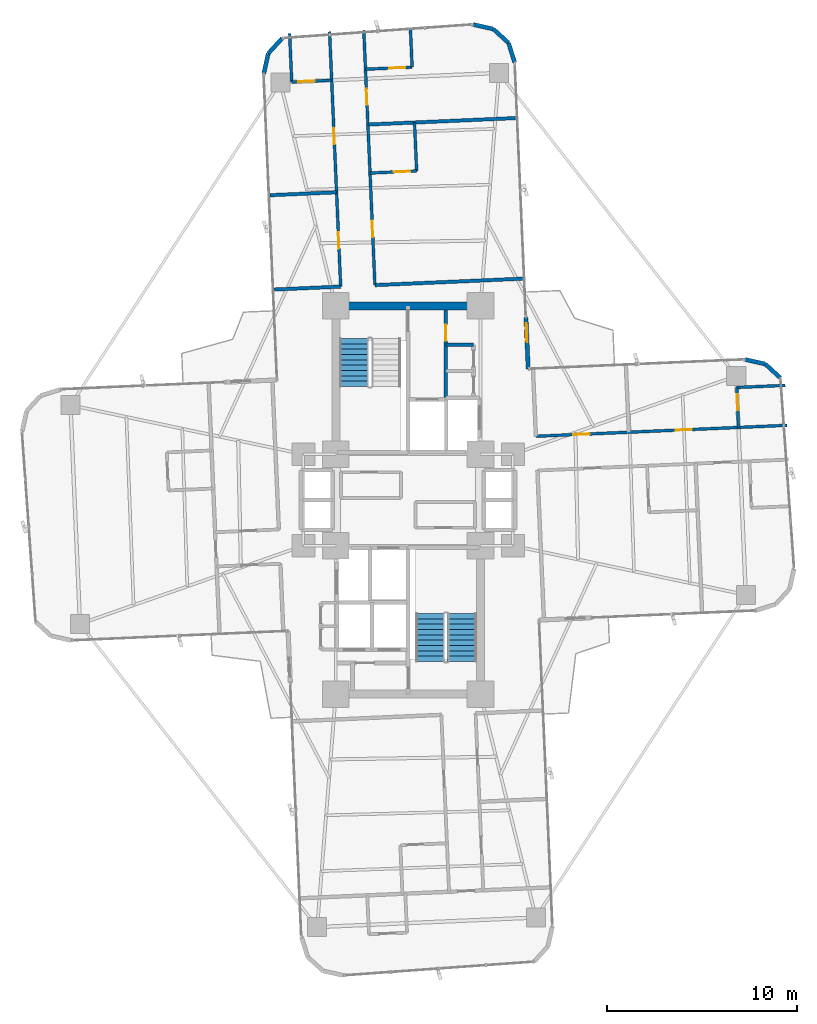
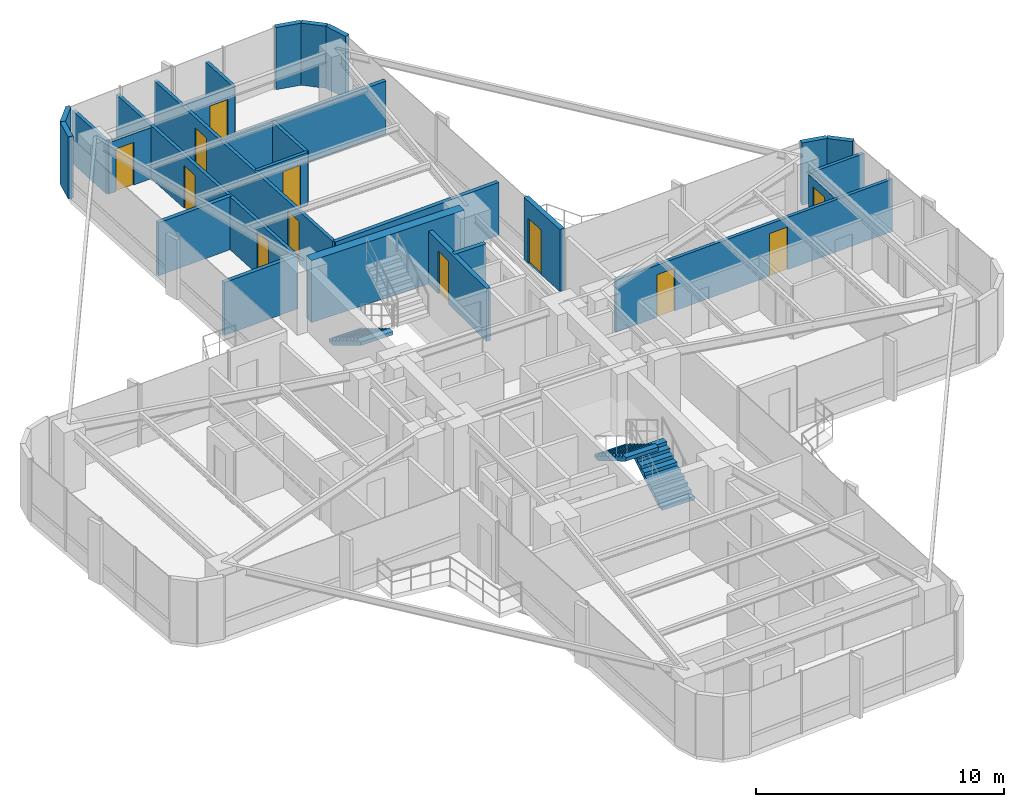
# One storey, part 25 of 27: 26 walls, 12 doors, 3 stair flights, 12 openings, 2 elements without a shape of their own.
"""IFC4 building model written with IfcOpenShell, lengths in metres."""

from ifc_helpers import new_model, si_unit, direction, frame, frame_2d, origin, origin_2d, place, context, subcontext, project, spatial, polyline, rectangle, outline, extrude, source, transform, mapped, material, layer, layer_set, type_object, element, fill, aggregate, save


model = new_model("IFC4")

# Units and contexts
model_context = context("Model", 3, precision=1e-05, world=origin(), true_north=direction((0.0, 1.0)))
body_context = subcontext(model_context, "Body", "Model", "MODEL_VIEW")
ifc_project = project(units=[si_unit("LENGTHUNIT", "METRE"), si_unit("AREAUNIT", "SQUARE_METRE"), si_unit("VOLUMEUNIT", "CUBIC_METRE"), si_unit("PLANEANGLEUNIT", "RADIAN"), si_unit("MASSUNIT", "GRAM", prefix="KILO")], contexts=[model_context])

# Site, building, storey
site_placement = place(None, origin())
site = spatial("IfcSite", under=ifc_project, at=site_placement, CompositionType="ELEMENT")
building_placement = place(site_placement, origin())
building = spatial("IfcBuilding", under=site, at=building_placement, Name="Sahyath Konkavel Grand Hotel", CompositionType="ELEMENT")
storey_placement = place(building_placement, frame((0.0, 0.0, 103.60009765625)))
storey = spatial("IfcBuildingStorey", under=building, at=storey_placement, Name="L28", CompositionType="ELEMENT", Elevation=103.60009765625)

# Walls
ifc_material_1 = material(Name="Concrete C50/60", Category="concrete")
ifc_layer_1 = layer(ifc_material_1, 0.419921875)
ifc_layer_set_1 = layer_set([ifc_layer_1], Name="Concrete C50/60")
wall_type_1 = type_object("IfcWallType", Name="CWALL-420", PredefinedType="SHEAR", material=ifc_layer_set_1)
wall_1_placement = place(storey_placement, frame((-3.550048828125, 10.199951171875, 0.0), z_axis=(0.0, 0.0, 1.0), x_axis=(1.0, 0.0, 0.0)))
element("IfcWall", 1, at=wall_1_placement, inside=storey, type_object=wall_type_1, Name="L28 North Core Shear Wall N", PredefinedType="SHEAR", context=body_context, shape_type="SweptSolid", body=[
    extrude(rectangle(XDim=7.10009765625, YDim=0.419921875, at=frame_2d((3.550048828125, 0.0))), origin(), (0.0, 0.0, 1.0), 3.0498046875),
])
ifc_material_2 = material(Name="Warm Buff Sandstone Insulated Concrete C40/50", Category="masonry")
ifc_layer_2 = layer(ifc_material_2, 0.219970703125)
ifc_layer_set_2 = layer_set([ifc_layer_2], Name="Warm Buff Sandstone Insulated Concrete C40/50")
wall_type_2 = type_object("IfcWallType", Name="WLL-BALC-THRESH", PredefinedType="STANDARD", material=ifc_layer_set_2)
wall_2_placement = place(storey_placement, frame((19.5576171875, 6.4091796875, 0.0), z_axis=(0.0, 0.0, 1.0), x_axis=(-0.737210081318, 0.675663596772, 0.0)))
element("IfcWall", 2, at=wall_2_placement, inside=storey, type_object=wall_type_2, Name="L28 Rounded Corner Sandstone Pier 5", PredefinedType="STANDARD", context=body_context, shape_type="SweptSolid", body=[
    extrude(rectangle(XDim=1.0869140625, YDim=0.219970703125, at=frame_2d((0.54345703125, 0.0))), origin(), (0.0, 0.0, 1.0), 3.0498046875),
])
wall_3_placement = place(storey_placement, frame((18.75634765625, 7.1435546875, 0.0), z_axis=(0.0, 0.0, 1.0), x_axis=(-0.976282085775, 0.216502399514, 0.0)))
element("IfcWall", 3, at=wall_3_placement, inside=storey, type_object=wall_type_2, Name="L28 Rounded Corner Sandstone Pier 6", PredefinedType="STANDARD", context=body_context, shape_type="SweptSolid", body=[
    extrude(rectangle(XDim=1.087158203125, YDim=0.219970703125, at=frame_2d((0.54345703125, 0.0))), origin(), (0.0, 0.0, 1.0), 3.0498046875),
])

# Wall, opening, door
wall_4_placement = place(storey_placement, frame((6.305908203125, 6.881591796875, 0.0), z_axis=(0.0, 0.0, 1.0), x_axis=(-0.043672655174, 0.999045894436, 0.0)))
wall_4 = element("IfcWall", 4, at=wall_4_placement, inside=storey, type_object=wall_type_2, Name="L28 Winter-Garden Threshold Wall 8", PredefinedType="STANDARD", context=body_context, shape_type="SweptSolid", body=[
    extrude(rectangle(XDim=2.7001953125, YDim=0.219970703125, at=frame_2d((1.35009765625, 0.0))), origin(), (0.0, 0.0, 1.0), 3.0498046875),
])
opening_1_placement = place(wall_4_placement, frame((1.39990234375, 0.0, 0.0)))
opening_1 = element("IfcOpeningElement", 5, at=opening_1_placement, cuts=wall_4, Name="Opening D-TR1", PredefinedType="OPENING", context=body_context, shape_type="SweptSolid", body=[
    extrude(rectangle(XDim=1.0, YDim=2.199951171875, at=frame_2d((0.5, 1.10009765625))), frame((0.0, 0.1201171875, 0.0), z_axis=(0.0, -1.0, 0.0), x_axis=(1.0, 0.0, 0.0)), (0.0, 0.0, 1.0), 0.239990234375),
])
ifc_material_3 = material(Name="Anodised Bronze Aluminium & Low-E Glazing", Category="aluminium")
door_type_1 = type_object("IfcDoorType", Name="DR-TERRACE-1000", OperationType="NOTDEFINED", PredefinedType="DOOR", material=ifc_material_3)
shared_shape_1 = source(origin(), body_context, "Body", "SweptSolid", [
    extrude(rectangle(XDim=1.0, YDim=0.050048828125, at=origin_2d()), origin(), (0.0, 0.0, 1.0), 2.199951171875),
])
door_1_placement = place(opening_1_placement, frame((0.5, 0.0, 0.0)))
door_1 = element("IfcDoor", 6, at=door_1_placement, inside=storey, type_object=door_type_1, Name="L28 Winter-Garden Terrace Door 8", OperationType="SINGLE_SWING_LEFT", OverallHeight=2.199951171875, OverallWidth=1.0, PredefinedType="DOOR", context=body_context, shape_type="MappedRepresentation", body=[
    mapped(shared_shape_1, transform((0.0, 0.0, 0.0), scale=1.0)),
])
fill(opening_1, door_1)

# Walls
wall_5_placement = place(storey_placement, frame((5.603515625, 22.96630859375, 0.0), z_axis=(0.0, 0.0, 1.0), x_axis=(-0.300755105707, 0.953701403161, 0.0)))
element("IfcWall", 7, at=wall_5_placement, inside=storey, type_object=wall_type_2, Name="L28 Rounded Corner Sandstone Pier 9", PredefinedType="STANDARD", context=body_context, shape_type="SweptSolid", body=[
    extrude(rectangle(XDim=1.0869140625, YDim=0.219970703125, at=frame_2d((0.54345703125, 0.0))), origin(), (0.0, 0.0, 1.0), 3.0498046875),
])
wall_6_placement = place(storey_placement, frame((5.276611328125, 24.0029296875, 0.0), z_axis=(0.0, 0.0, 1.0), x_axis=(-0.737312600672, 0.675551721847, 0.0)))
element("IfcWall", 8, at=wall_6_placement, inside=storey, type_object=wall_type_2, Name="L28 Rounded Corner Sandstone Pier 10", PredefinedType="STANDARD", context=body_context, shape_type="SweptSolid", body=[
    extrude(rectangle(XDim=1.087158203125, YDim=0.219970703125, at=frame_2d((0.54345703125, 0.0))), origin(), (0.0, 0.0, 1.0), 3.0498046875),
])
for number, where, z_axis, x_axis, name in (
    (9, (4.47509765625, 24.7373046875, 0.0), (0.0, 0.0, 1.0), (-0.976271555154, 0.216549880158, 0.0), "L28 Rounded Corner Sandstone Pier 11"),
    (10, (-6.6142578125, 24.253173828125, 0.0), (0.0, 0.0, 1.0), (-0.675663596772, -0.737210081318, 0.0), "L28 Rounded Corner Sandstone Pier 13"),
):
    element("IfcWall", number, at=place(storey_placement, frame(where, z_axis=z_axis, x_axis=x_axis)), inside=storey, type_object=wall_type_2, Name=name, PredefinedType="STANDARD", context=body_context, shape_type="SweptSolid", body=[
        extrude(rectangle(XDim=1.0869140625, YDim=0.219970703125, at=frame_2d((0.54345703125, 0.0))), origin(), (0.0, 0.0, 1.0), 3.0498046875),
    ])
wall_7_placement = place(storey_placement, frame((-7.3486328125, 23.451904296875, 0.0), z_axis=(0.0, 0.0, 1.0), x_axis=(-0.216454939174, -0.976292609471, 0.0)))
element("IfcWall", 11, at=wall_7_placement, inside=storey, type_object=wall_type_2, Name="L28 Rounded Corner Sandstone Pier 14", PredefinedType="STANDARD", context=body_context, shape_type="SweptSolid", body=[
    extrude(rectangle(XDim=1.08740234375, YDim=0.219970703125, at=frame_2d((0.543701171875, 0.0))), origin(), (0.0, 0.0, 1.0), 3.0498046875),
])

# Wall, opening, door
ifc_material_4 = material(Name="Concrete C40/50", Category="concrete")
ifc_layer_3 = layer(ifc_material_4, 0.199951171875)
ifc_layer_set_3 = layer_set([ifc_layer_3], Name="Concrete C40/50")
wall_type_3 = type_object("IfcWallType", Name="WLL-CORE-200", PredefinedType="SOLIDWALL", material=ifc_layer_set_3)
wall_8_placement = place(storey_placement, frame((1.97998046875, 5.320068359375, 0.0), z_axis=(0.0, 0.0, 1.0), x_axis=(0.0, 1.0, 0.0)))
wall_8 = element("IfcWall", 12, at=wall_8_placement, inside=storey, type_object=wall_type_3, Name="L28 North Firefighting Lobby Wall E", PredefinedType="SOLIDWALL", context=body_context, shape_type="SweptSolid", body=[
    extrude(rectangle(XDim=4.659912109375, YDim=0.199951171875, at=frame_2d((2.330078125, 0.0))), origin(), (0.0, 0.0, 1.0), 2.599853515625),
])
opening_2_placement = place(wall_8_placement, frame((3.0400390625, 0.0, 0.0)))
opening_2 = element("IfcOpeningElement", 13, at=opening_2_placement, cuts=wall_8, Name="Opening D-F12D", PredefinedType="OPENING", context=body_context, shape_type="SweptSolid", body=[
    extrude(rectangle(XDim=0.85009765625, YDim=2.10009765625, at=frame_2d((0.425048828125, 1.050048828125))), frame((0.0, 0.10986328125, 0.0), z_axis=(0.0, -1.0, 0.0), x_axis=(1.0, 0.0, 0.0)), (0.0, 0.0, 1.0), 0.219970703125),
])
ifc_material_5 = material(Name="Steel E350 Core Fire Door", Category="steel")
door_type_2 = type_object("IfcDoorType", Name="DR-FD120-850", OperationType="NOTDEFINED", PredefinedType="DOOR", material=ifc_material_5)
shared_shape_2 = source(origin(), body_context, "Body", "SweptSolid", [
    extrude(rectangle(XDim=0.85009765625, YDim=0.050048828125, at=origin_2d()), origin(), (0.0, 0.0, 1.0), 2.10009765625),
])
door_2_placement = place(opening_2_placement, frame((0.425048828125, 0.0, 0.0)))
door_2 = element("IfcDoor", 14, at=door_2_placement, inside=storey, type_object=door_type_2, Name="L28 North Firefighting Lobby Door", OperationType="SINGLE_SWING_RIGHT", OverallHeight=2.10009765625, OverallWidth=0.85009765625, PredefinedType="DOOR", context=body_context, shape_type="MappedRepresentation", body=[
    mapped(shared_shape_2, transform((0.0, 0.0, 0.0), scale=1.0)),
])
fill(opening_2, door_2)

# Walls
wall_9_placement = place(storey_placement, frame((1.97998046875, 8.14990234375, 0.0), z_axis=(0.0, 0.0, 1.0), x_axis=(1.0, 0.0, 0.0)))
element("IfcWall", 15, at=wall_9_placement, inside=storey, type_object=wall_type_3, Name="L28 Partition NC-REC-N", PredefinedType="SOLIDWALL", context=body_context, shape_type="SweptSolid", body=[
    extrude(rectangle(XDim=1.4599609375, YDim=0.199951171875, at=frame_2d((0.72998046875, 0.0))), origin(), (0.0, 0.0, 1.0), 2.599853515625),
])
ifc_material_6 = material(Name="Twin-Stud Acoustic Gypsum Plasterboard Partition")
ifc_layer_4 = layer(ifc_material_6, 0.179931640625)
ifc_layer_set_4 = layer_set([ifc_layer_4], Name="Twin-Stud Acoustic Gypsum Plasterboard Partition")
wall_type_4 = type_object("IfcWallType", Name="WLL-DEMISE-180", PredefinedType="PARTITIONING", material=ifc_layer_set_4)
wall_10_placement = place(storey_placement, frame((-3.542236328125, 11.206298828125, 0.0), z_axis=(0.0, 0.0, 1.0), x_axis=(-0.999046129111, -0.04366728647, 0.0)))
element("IfcWall", 16, at=wall_10_placement, inside=storey, type_object=wall_type_4, Name="L28 Partition N-INL", PredefinedType="PARTITIONING", context=body_context, shape_type="SweptSolid", body=[
    extrude(rectangle(XDim=3.5, YDim=0.179931640625, at=frame_2d((1.75, 0.0))), origin(), (0.0, 0.0, 1.0), 2.599853515625),
])
wall_11_placement = place(storey_placement, frame((6.048583984375, 11.625, 0.0), z_axis=(0.0, 0.0, 1.0), x_axis=(-0.999047634936, -0.043632821702, 0.0)))
element("IfcWall", 17, at=wall_11_placement, inside=storey, type_object=wall_type_4, Name="L28 Partition N-INR", PredefinedType="PARTITIONING", context=body_context, shape_type="SweptSolid", body=[
    extrude(rectangle(XDim=7.7998046875, YDim=0.179931640625, at=frame_2d((3.89990234375, 0.0))), origin(), (0.0, 0.0, 1.0), 2.599853515625),
])
wall_12_placement = place(storey_placement, frame((-3.75830078125, 16.159423828125, 0.0), z_axis=(0.0, 0.0, 1.0), x_axis=(-0.999049302422, -0.04359462501, 0.0)))
element("IfcWall", 18, at=wall_12_placement, inside=storey, type_object=wall_type_4, Name="L28 Partition N-N1L-DEM", PredefinedType="PARTITIONING", context=body_context, shape_type="SweptSolid", body=[
    extrude(rectangle(XDim=3.500244140625, YDim=0.179931640625, at=frame_2d((1.75, 0.0))), origin(), (0.0, 0.0, 1.0), 2.599853515625),
])
wall_13_placement = place(storey_placement, frame((-2.112060546875, 19.718505859375, 0.0), z_axis=(0.0, 0.0, 1.0), x_axis=(0.999047634936, 0.043632821702, 0.0)))
element("IfcWall", 19, at=wall_13_placement, inside=storey, type_object=wall_type_4, Name="L28 Partition N-N1R-DEM", PredefinedType="PARTITIONING", context=body_context, shape_type="SweptSolid", body=[
    extrude(rectangle(XDim=7.7998046875, YDim=0.179931640625, at=frame_2d((3.89990234375, 0.0))), origin(), (0.0, 0.0, 1.0), 2.599853515625),
])

# Wall, openings, doors
ifc_material_7 = material(Name="Fire-Rated Gypsum Plasterboard Partition")
ifc_layer_5 = layer(ifc_material_7, 0.14990234375)
ifc_layer_set_5 = layer_set([ifc_layer_5], Name="Fire-Rated Gypsum Plasterboard Partition")
wall_type_5 = type_object("IfcWallType", Name="WLL-PART-150", PredefinedType="PARTITIONING", material=ifc_layer_set_5)
wall_14_placement = place(storey_placement, frame((6.71044921875, 3.345947265625, 0.0), z_axis=(0.0, 0.0, 1.0), x_axis=(0.999048535483, 0.04361219725, 0.0)))
wall_14 = element("IfcWall", 20, at=wall_14_placement, inside=storey, type_object=wall_type_5, Name="L28 Partition E-CL", PredefinedType="PARTITIONING", context=body_context, shape_type="SweptSolid", body=[
    extrude(rectangle(XDim=13.199951171875, YDim=0.14990234375, at=frame_2d((6.60009765625, 0.0))), origin(), (0.0, 0.0, 1.0), 2.56982421875),
])
opening_3_placement = place(wall_14_placement, frame((1.967041015625, 0.0, 0.0)))
opening_3 = element("IfcOpeningElement", 21, at=opening_3_placement, cuts=wall_14, Name="Opening D-F06D", PredefinedType="OPENING", context=body_context, shape_type="SweptSolid", body=[
    extrude(rectangle(XDim=0.85009765625, YDim=2.10009765625, at=frame_2d((0.425048828125, 1.050048828125))), frame((0.0, 0.0849609375, 0.0), z_axis=(0.0, -1.0, 0.0), x_axis=(1.0, 0.0, 0.0)), (0.0, 0.0, 1.0), 0.169921875),
])
opening_4_placement = place(wall_14_placement, frame((7.342041015625, 0.0, 0.0)))
opening_4 = element("IfcOpeningElement", 22, at=opening_4_placement, cuts=wall_14, Name="Opening D-F06D", PredefinedType="OPENING", context=body_context, shape_type="SweptSolid", body=[
    extrude(rectangle(XDim=0.85009765625, YDim=2.10009765625, at=frame_2d((0.425048828125, 1.050048828125))), frame((0.0, 0.0849609375, 0.0), z_axis=(0.0, -1.0, 0.0), x_axis=(1.0, 0.0, 0.0)), (0.0, 0.0, 1.0), 0.169921875),
])
ifc_material_8 = material(Name="Fire-Rated Shaft Access Door")
door_type_3 = type_object("IfcDoorType", Name="DR-FD60-850", OperationType="NOTDEFINED", PredefinedType="DOOR", material=ifc_material_8)
door_3_placement = place(opening_3_placement, frame((0.425048828125, 0.0, 0.0)))
door_3 = element("IfcDoor", 23, at=door_3_placement, inside=storey, type_object=door_type_3, Name="L28 Door E-E1L-D", OperationType="SINGLE_SWING_LEFT", OverallHeight=2.10009765625, OverallWidth=0.85009765625, PredefinedType="DOOR", context=body_context, shape_type="MappedRepresentation", body=[
    mapped(shared_shape_2, transform((0.0, 0.0, 0.0), scale=1.0)),
])
fill(opening_3, door_3)
door_4_placement = place(opening_4_placement, frame((0.425048828125, 0.0, 0.0)))
door_4 = element("IfcDoor", 24, at=door_4_placement, inside=storey, type_object=door_type_3, Name="L28 Door E-E2L-ED", OperationType="SINGLE_SWING_LEFT", OverallHeight=2.10009765625, OverallWidth=0.85009765625, PredefinedType="DOOR", context=body_context, shape_type="MappedRepresentation", body=[
    mapped(shared_shape_2, transform((0.0, 0.0, 0.0), scale=1.0)),
])
fill(opening_4, door_4)

# Wall, opening, door
wall_15_placement = place(storey_placement, frame((17.350341796875, 3.810302734375, 0.0), z_axis=(0.0, 0.0, 1.0), x_axis=(-0.043593612401, 0.999049346608, 0.0)))
wall_15 = element("IfcWall", 25, at=wall_15_placement, inside=storey, type_object=wall_type_5, Name="L28 Partition E-E2L-BS", PredefinedType="PARTITIONING", context=body_context, shape_type="SweptSolid", body=[
    extrude(rectangle(XDim=2.10009765625, YDim=0.14990234375, at=frame_2d((1.050048828125, 0.0))), origin(), (0.0, 0.0, 1.0), 2.52001953125),
])
opening_5_placement = place(wall_15_placement, frame((0.89990234375, 0.0, 0.0)))
opening_5 = element("IfcOpeningElement", 26, at=opening_5_placement, cuts=wall_15, Name="Opening D-BT85", PredefinedType="OPENING", context=body_context, shape_type="SweptSolid", body=[
    extrude(rectangle(XDim=0.85009765625, YDim=2.10009765625, at=frame_2d((0.425048828125, 1.050048828125))), frame((0.0, 0.0849609375, 0.0), z_axis=(0.0, -1.0, 0.0), x_axis=(1.0, 0.0, 0.0)), (0.0, 0.0, 1.0), 0.169921875),
])
ifc_material_9 = material(Name="Moisture-Resistant Teak Bathroom Door")
door_type_4 = type_object("IfcDoorType", Name="DR-BATH-850", OperationType="NOTDEFINED", PredefinedType="DOOR", material=ifc_material_9)
door_5_placement = place(opening_5_placement, frame((0.425048828125, 0.0, 0.0)))
door_5 = element("IfcDoor", 27, at=door_5_placement, inside=storey, type_object=door_type_4, Name="L28 Door E-E2L-BD", OperationType="SINGLE_SWING_RIGHT", OverallHeight=2.10009765625, OverallWidth=0.85009765625, PredefinedType="DOOR", context=body_context, shape_type="MappedRepresentation", body=[
    mapped(shared_shape_2, transform((0.0, 0.0, 0.0), scale=1.0)),
])
fill(opening_5, door_5)

# Wall
wall_16_placement = place(storey_placement, frame((17.2587890625, 5.908447265625, 0.0), z_axis=(0.0, 0.0, 1.0), x_axis=(0.999046560091, 0.043657425146, 0.0)))
element("IfcWall", 28, at=wall_16_placement, inside=storey, type_object=wall_type_5, Name="L28 Partition E-E2L-BF", PredefinedType="PARTITIONING", context=body_context, shape_type="SweptSolid", body=[
    extrude(rectangle(XDim=2.550048828125, YDim=0.14990234375, at=frame_2d((1.27490234375, 0.0))), origin(), (0.0, 0.0, 1.0), 2.599853515625),
])

# Wall, openings, doors
wall_17_placement = place(storey_placement, frame((-3.542236328125, 11.206298828125, 0.0), z_axis=(0.0, 0.0, 1.0), x_axis=(-0.043617493533, 0.999048304267, 0.0)))
wall_17 = element("IfcWall", 29, at=wall_17_placement, inside=storey, type_object=wall_type_5, Name="L28 Partition N-CL", PredefinedType="PARTITIONING", context=body_context, shape_type="SweptSolid", body=[
    extrude(rectangle(XDim=13.39990234375, YDim=0.14990234375, at=frame_2d((6.699951171875, 0.0))), origin(), (0.0, 0.0, 1.0), 2.599853515625),
])
opening_6_placement = place(wall_17_placement, frame((2.00390625, 0.0, 0.0)))
opening_6 = element("IfcOpeningElement", 30, at=opening_6_placement, cuts=wall_17, Name="Opening D-F06D", PredefinedType="OPENING", context=body_context, shape_type="SweptSolid", body=[
    extrude(rectangle(XDim=0.85009765625, YDim=2.10009765625, at=frame_2d((0.425048828125, 1.050048828125))), frame((0.0, 0.0849609375, 0.0), z_axis=(0.0, -1.0, 0.0), x_axis=(1.0, 0.0, 0.0)), (0.0, 0.0, 1.0), 0.169921875),
])
opening_7_placement = place(wall_17_placement, frame((7.47900390625, 0.0, 0.0)))
opening_7 = element("IfcOpeningElement", 31, at=opening_7_placement, cuts=wall_17, Name="Opening D-F06D", PredefinedType="OPENING", context=body_context, shape_type="SweptSolid", body=[
    extrude(rectangle(XDim=0.85009765625, YDim=2.10009765625, at=frame_2d((0.425048828125, 1.050048828125))), frame((0.0, 0.0849609375, 0.0), z_axis=(0.0, -1.0, 0.0), x_axis=(1.0, 0.0, 0.0)), (0.0, 0.0, 1.0), 0.169921875),
])
door_6_placement = place(opening_6_placement, frame((0.425048828125, 0.0, 0.0)))
door_6 = element("IfcDoor", 32, at=door_6_placement, inside=storey, type_object=door_type_3, Name="L28 Door N-N1L-D", OperationType="SINGLE_SWING_RIGHT", OverallHeight=2.10009765625, OverallWidth=0.85009765625, PredefinedType="DOOR", context=body_context, shape_type="MappedRepresentation", body=[
    mapped(shared_shape_2, transform((0.0, 0.0, 0.0), scale=1.0)),
])
fill(opening_6, door_6)
door_7_placement = place(opening_7_placement, frame((0.425048828125, 0.0, 0.0)))
door_7 = element("IfcDoor", 33, at=door_7_placement, inside=storey, type_object=door_type_3, Name="L28 Door N-N2L-ED", OperationType="SINGLE_SWING_RIGHT", OverallHeight=2.10009765625, OverallWidth=0.85009765625, PredefinedType="DOOR", context=body_context, shape_type="MappedRepresentation", body=[
    mapped(shared_shape_2, transform((0.0, 0.0, 0.0), scale=1.0)),
])
fill(opening_7, door_7)

wall_18_placement = place(storey_placement, frame((-1.743896484375, 11.28466796875, 0.0), z_axis=(0.0, 0.0, 1.0), x_axis=(-0.043617493533, 0.999048304267, 0.0)))
wall_18 = element("IfcWall", 34, at=wall_18_placement, inside=storey, type_object=wall_type_5, Name="L28 Partition N-CR", PredefinedType="PARTITIONING", context=body_context, shape_type="SweptSolid", body=[
    extrude(rectangle(XDim=13.39990234375, YDim=0.14990234375, at=frame_2d((6.699951171875, 0.0))), origin(), (0.0, 0.0, 1.0), 2.599853515625),
])
opening_8_placement = place(wall_18_placement, frame((2.52099609375, 0.0, 0.0)))
opening_8 = element("IfcOpeningElement", 35, at=opening_8_placement, cuts=wall_18, Name="Opening D-F06D", PredefinedType="OPENING", context=body_context, shape_type="SweptSolid", body=[
    extrude(rectangle(XDim=0.85009765625, YDim=2.10009765625, at=frame_2d((0.425048828125, 1.050048828125))), frame((0.0, 0.0849609375, 0.0), z_axis=(0.0, -1.0, 0.0), x_axis=(1.0, 0.0, 0.0)), (0.0, 0.0, 1.0), 0.169921875),
])
opening_9_placement = place(wall_18_placement, frame((9.470947265625, 0.0, 0.0)))
opening_9 = element("IfcOpeningElement", 36, at=opening_9_placement, cuts=wall_18, Name="Opening D-F06D", PredefinedType="OPENING", context=body_context, shape_type="SweptSolid", body=[
    extrude(rectangle(XDim=0.85009765625, YDim=2.10009765625, at=frame_2d((0.425048828125, 1.050048828125))), frame((0.0, 0.0849609375, 0.0), z_axis=(0.0, -1.0, 0.0), x_axis=(1.0, 0.0, 0.0)), (0.0, 0.0, 1.0), 0.169921875),
])
door_8_placement = place(opening_8_placement, frame((0.425048828125, 0.0, 0.0)))
door_8 = element("IfcDoor", 37, at=door_8_placement, inside=storey, type_object=door_type_3, Name="L28 Door N-N1R-ED", OperationType="SINGLE_SWING_RIGHT", OverallHeight=2.10009765625, OverallWidth=0.85009765625, PredefinedType="DOOR", context=body_context, shape_type="MappedRepresentation", body=[
    mapped(shared_shape_2, transform((0.0, 0.0, 0.0), scale=1.0)),
])
fill(opening_8, door_8)
door_9_placement = place(opening_9_placement, frame((0.425048828125, 0.0, 0.0)))
door_9 = element("IfcDoor", 38, at=door_9_placement, inside=storey, type_object=door_type_3, Name="L28 Door N-N2R-ED", OperationType="SINGLE_SWING_RIGHT", OverallHeight=2.10009765625, OverallWidth=0.85009765625, PredefinedType="DOOR", context=body_context, shape_type="MappedRepresentation", body=[
    mapped(shared_shape_2, transform((0.0, 0.0, 0.0), scale=1.0)),
])
fill(opening_9, door_9)

# Wall, opening, door
wall_19_placement = place(storey_placement, frame((-4.015380859375, 22.0458984375, 0.0), z_axis=(0.0, 0.0, 1.0), x_axis=(-0.999044054836, -0.043714717167, 0.0)))
wall_19 = element("IfcWall", 39, at=wall_19_placement, inside=storey, type_object=wall_type_5, Name="L28 Partition N-N2L-BS", PredefinedType="PARTITIONING", context=body_context, shape_type="SweptSolid", body=[
    extrude(rectangle(XDim=2.099853515625, YDim=0.14990234375, at=frame_2d((1.0498046875, 0.0))), origin(), (0.0, 0.0, 1.0), 2.52001953125),
])
opening_10_placement = place(wall_19_placement, frame((0.89990234375, 0.0, 0.0)))
opening_10 = element("IfcOpeningElement", 40, at=opening_10_placement, cuts=wall_19, Name="Opening D-BT85", PredefinedType="OPENING", context=body_context, shape_type="SweptSolid", body=[
    extrude(rectangle(XDim=0.85009765625, YDim=2.10009765625, at=frame_2d((0.425048828125, 1.050048828125))), frame((0.0, 0.0849609375, 0.0), z_axis=(0.0, -1.0, 0.0), x_axis=(1.0, 0.0, 0.0)), (0.0, 0.0, 1.0), 0.169921875),
])
door_10_placement = place(opening_10_placement, frame((0.425048828125, 0.0, 0.0)))
door_10 = element("IfcDoor", 41, at=door_10_placement, inside=storey, type_object=door_type_4, Name="L28 Door N-N2L-BD", OperationType="SINGLE_SWING_LEFT", OverallHeight=2.10009765625, OverallWidth=0.85009765625, PredefinedType="DOOR", context=body_context, shape_type="MappedRepresentation", body=[
    mapped(shared_shape_2, transform((0.0, 0.0, 0.0), scale=1.0)),
])
fill(opening_10, door_10)

# Wall
wall_20_placement = place(storey_placement, frame((-6.11328125, 21.9541015625, 0.0), z_axis=(0.0, 0.0, 1.0), x_axis=(-0.043657425146, 0.999046560091, 0.0)))
element("IfcWall", 42, at=wall_20_placement, inside=storey, type_object=wall_type_5, Name="L28 Partition N-N2L-BF", PredefinedType="PARTITIONING", context=body_context, shape_type="SweptSolid", body=[
    extrude(rectangle(XDim=2.550048828125, YDim=0.14990234375, at=frame_2d((1.27490234375, 0.0))), origin(), (0.0, 0.0, 1.0), 2.599853515625),
])

# Wall, opening, door
wall_21_placement = place(storey_placement, frame((-2.0009765625, 17.171142578125, 0.0), z_axis=(0.0, 0.0, 1.0), x_axis=(0.99905145222, 0.043545330602, 0.0)))
wall_21 = element("IfcWall", 43, at=wall_21_placement, inside=storey, type_object=wall_type_5, Name="L28 Partition N-N1R-BS", PredefinedType="PARTITIONING", context=body_context, shape_type="SweptSolid", body=[
    extrude(rectangle(XDim=2.4501953125, YDim=0.14990234375, at=frame_2d((1.22509765625, 0.0))), origin(), (0.0, 0.0, 1.0), 2.599853515625),
])
opening_11_placement = place(wall_21_placement, frame((1.25, 0.0, 0.0)))
opening_11 = element("IfcOpeningElement", 44, at=opening_11_placement, cuts=wall_21, Name="Opening D-BT85", PredefinedType="OPENING", context=body_context, shape_type="SweptSolid", body=[
    extrude(rectangle(XDim=0.85009765625, YDim=2.10009765625, at=frame_2d((0.425048828125, 1.050048828125))), frame((0.0, 0.0849609375, 0.0), z_axis=(0.0, -1.0, 0.0), x_axis=(1.0, 0.0, 0.0)), (0.0, 0.0, 1.0), 0.169921875),
])
door_11_placement = place(opening_11_placement, frame((0.425048828125, 0.0, 0.0)))
door_11 = element("IfcDoor", 45, at=door_11_placement, inside=storey, type_object=door_type_4, Name="L28 Door N-N1R-BD", OperationType="SINGLE_SWING_LEFT", OverallHeight=2.10009765625, OverallWidth=0.85009765625, PredefinedType="DOOR", context=body_context, shape_type="MappedRepresentation", body=[
    mapped(shared_shape_2, transform((0.0, 0.0, 0.0), scale=1.0)),
])
fill(opening_11, door_11)

# Wall
wall_22_placement = place(storey_placement, frame((0.44677734375, 17.27783203125, 0.0), z_axis=(0.0, 0.0, 1.0), x_axis=(-0.043657425146, 0.999046560091, 0.0)))
element("IfcWall", 46, at=wall_22_placement, inside=storey, type_object=wall_type_5, Name="L28 Partition N-N1R-BF", PredefinedType="PARTITIONING", context=body_context, shape_type="SweptSolid", body=[
    extrude(rectangle(XDim=2.550048828125, YDim=0.14990234375, at=frame_2d((1.27490234375, 0.0))), origin(), (0.0, 0.0, 1.0), 2.599853515625),
])

# Wall, opening, door
wall_23_placement = place(storey_placement, frame((-2.239013671875, 22.623779296875, 0.0), z_axis=(0.0, 0.0, 1.0), x_axis=(0.999047112283, 0.043644787072, 0.0)))
wall_23 = element("IfcWall", 47, at=wall_23_placement, inside=storey, type_object=wall_type_5, Name="L28 Partition N-N2R-BS", PredefinedType="PARTITIONING", context=body_context, shape_type="SweptSolid", body=[
    extrude(rectangle(XDim=2.4501953125, YDim=0.14990234375, at=frame_2d((1.22509765625, 0.0))), origin(), (0.0, 0.0, 1.0), 2.599853515625),
])
opening_12_placement = place(wall_23_placement, frame((1.25, 0.0, 0.0)))
opening_12 = element("IfcOpeningElement", 48, at=opening_12_placement, cuts=wall_23, Name="Opening D-BT85", PredefinedType="OPENING", context=body_context, shape_type="SweptSolid", body=[
    extrude(rectangle(XDim=0.85009765625, YDim=2.10009765625, at=frame_2d((0.425048828125, 1.050048828125))), frame((0.0, 0.0849609375, 0.0), z_axis=(0.0, -1.0, 0.0), x_axis=(1.0, 0.0, 0.0)), (0.0, 0.0, 1.0), 0.169921875),
])
door_12_placement = place(opening_12_placement, frame((0.425048828125, 0.0, 0.0)))
door_12 = element("IfcDoor", 49, at=door_12_placement, inside=storey, type_object=door_type_4, Name="L28 Door N-N2R-BD", OperationType="SINGLE_SWING_LEFT", OverallHeight=2.10009765625, OverallWidth=0.85009765625, PredefinedType="DOOR", context=body_context, shape_type="MappedRepresentation", body=[
    mapped(shared_shape_2, transform((0.0, 0.0, 0.0), scale=1.0)),
])
fill(opening_12, door_12)

# Wall
wall_24_placement = place(storey_placement, frame((0.208740234375, 22.730712890625, 0.0), z_axis=(0.0, 0.0, 1.0), x_axis=(-0.043587097972, 0.999049630844, 0.0)))
element("IfcWall", 50, at=wall_24_placement, inside=storey, type_object=wall_type_5, Name="L28 Partition N-N2R-BF", PredefinedType="PARTITIONING", context=body_context, shape_type="SweptSolid", body=[
    extrude(rectangle(XDim=2.050048828125, YDim=0.14990234375, at=frame_2d((1.02490234375, 0.0))), origin(), (0.0, 0.0, 1.0), 2.599853515625),
])

# Stair, stair flight
stair_type = type_object("IfcStairType", Name="STR-ST16-335", PredefinedType="HALF_TURN_STAIR", material=ifc_material_4)
stair_1_placement = place(storey_placement, origin())
stair_1 = element("IfcStair", 51, at=stair_1_placement, inside=storey, type_object=stair_type, Name="L28 North Core Smokeproof Exit Stair ST-1", PredefinedType="HALF_TURN_STAIR")
stair_flight_type = type_object("IfcStairFlightType", Name="STF-ST16-335", PredefinedType="STRAIGHT", material=ifc_material_4)
stair_flight_1_placement = place(storey_placement, frame((-2.840087890625, 8.47998046875, 0.0), z_axis=(0.0, 0.0, 1.0), x_axis=(0.0, -1.0, 0.0)))
stair_flight_1 = element("IfcStairFlight", 52, at=stair_flight_1_placement, type_object=stair_flight_type, Name="ST-1 flight 1", NumberOfRisers=10, NumberOfTreads=9, PredefinedType="STRAIGHT", RiserHeight=0.1675, TreadLength=0.28, context=body_context, shape_type="SweptSolid", body=[
    extrude(outline(polyline([(0.0, 0.0), (0.0, 0.16748046875), (0.280029296875, 0.16748046875), (0.280029296875, 0.3349609375), (0.56005859375, 0.3349609375), (0.56005859375, 0.50244140625), (0.840087890625, 0.50244140625), (0.840087890625, 0.669921875), (1.1201171875, 0.669921875), (1.1201171875, 0.83740234375), (1.39990234375, 0.83740234375), (1.39990234375, 1.0048828125), (1.679931640625, 1.0048828125), (1.679931640625, 1.172607421875), (1.9599609375, 1.172607421875), (1.9599609375, 1.340087890625), (2.239990234375, 1.340087890625), (2.239990234375, 1.507568359375), (2.52001953125, 1.507568359375), (2.52001953125, 1.675048828125), (2.52001953125, 1.332763671875), (0.2919921875, 0.0), (0.0, 0.0)])), frame((0.0, 0.760009765625, 0.0), z_axis=(0.0, -1.0, 0.0), x_axis=(1.0, 0.0, 0.0)), (0.0, 0.0, 1.0), 1.52001953125),
])
aggregate(stair_1, [stair_flight_1])

# Stair, stair flights
stair_2_placement = place(storey_placement, origin())
stair_2 = element("IfcStair", 53, at=stair_2_placement, inside=storey, type_object=stair_type, Name="L28 South Core Smokeproof Exit Stair ST-2", PredefinedType="HALF_TURN_STAIR")
stair_flight_2_placement = place(storey_placement, frame((2.840087890625, -8.47998046875, 0.0), z_axis=(0.0, 0.0, 1.0), x_axis=(0.0, 1.0, 0.0)))
stair_flight_2 = element("IfcStairFlight", 54, at=stair_flight_2_placement, type_object=stair_flight_type, Name="ST-2 flight 1", NumberOfRisers=10, NumberOfTreads=9, PredefinedType="STRAIGHT", RiserHeight=0.1675, TreadLength=0.28, context=body_context, shape_type="SweptSolid", body=[
    extrude(outline(polyline([(0.0, 0.0), (0.0, 0.16748046875), (0.280029296875, 0.16748046875), (0.280029296875, 0.3349609375), (0.56005859375, 0.3349609375), (0.56005859375, 0.50244140625), (0.840087890625, 0.50244140625), (0.840087890625, 0.669921875), (1.1201171875, 0.669921875), (1.1201171875, 0.83740234375), (1.39990234375, 0.83740234375), (1.39990234375, 1.0048828125), (1.679931640625, 1.0048828125), (1.679931640625, 1.172607421875), (1.9599609375, 1.172607421875), (1.9599609375, 1.340087890625), (2.239990234375, 1.340087890625), (2.239990234375, 1.507568359375), (2.52001953125, 1.507568359375), (2.52001953125, 1.675048828125), (2.52001953125, 1.332763671875), (0.2919921875, 0.0), (0.0, 0.0)])), frame((0.0, 0.760009765625, 0.0), z_axis=(0.0, -1.0, 0.0), x_axis=(1.0, 0.0, 0.0)), (0.0, 0.0, 1.0), 1.52001953125),
])
stair_flight_3_placement = place(storey_placement, frame((1.159912109375, -5.9599609375, 1.6748046875), z_axis=(0.0, 0.0, 1.0), x_axis=(0.0, -1.0, 0.0)))
stair_flight_3 = element("IfcStairFlight", 55, at=stair_flight_3_placement, type_object=stair_flight_type, Name="ST-2 flight 2", NumberOfRisers=10, NumberOfTreads=9, PredefinedType="STRAIGHT", RiserHeight=0.1675, TreadLength=0.28, context=body_context, shape_type="SweptSolid", body=[
    extrude(outline(polyline([(0.0, 0.0), (0.0, 0.16748046875), (0.280029296875, 0.16748046875), (0.280029296875, 0.3349609375), (0.56005859375, 0.3349609375), (0.56005859375, 0.50244140625), (0.840087890625, 0.50244140625), (0.840087890625, 0.669921875), (1.1201171875, 0.669921875), (1.1201171875, 0.83740234375), (1.39990234375, 0.83740234375), (1.39990234375, 1.0048828125), (1.679931640625, 1.0048828125), (1.679931640625, 1.172607421875), (1.9599609375, 1.172607421875), (1.9599609375, 1.340087890625), (2.239990234375, 1.340087890625), (2.239990234375, 1.507568359375), (2.52001953125, 1.507568359375), (2.52001953125, 1.675048828125), (2.52001953125, 1.332763671875), (0.2919921875, 0.0), (0.0, 0.0)])), frame((0.0, 0.760009765625, 0.0), z_axis=(0.0, -1.0, 0.0), x_axis=(1.0, 0.0, 0.0)), (0.0, 0.0, 1.0), 1.52001953125),
])
aggregate(stair_2, [stair_flight_2, stair_flight_3])

save(model, "model.ifc")
